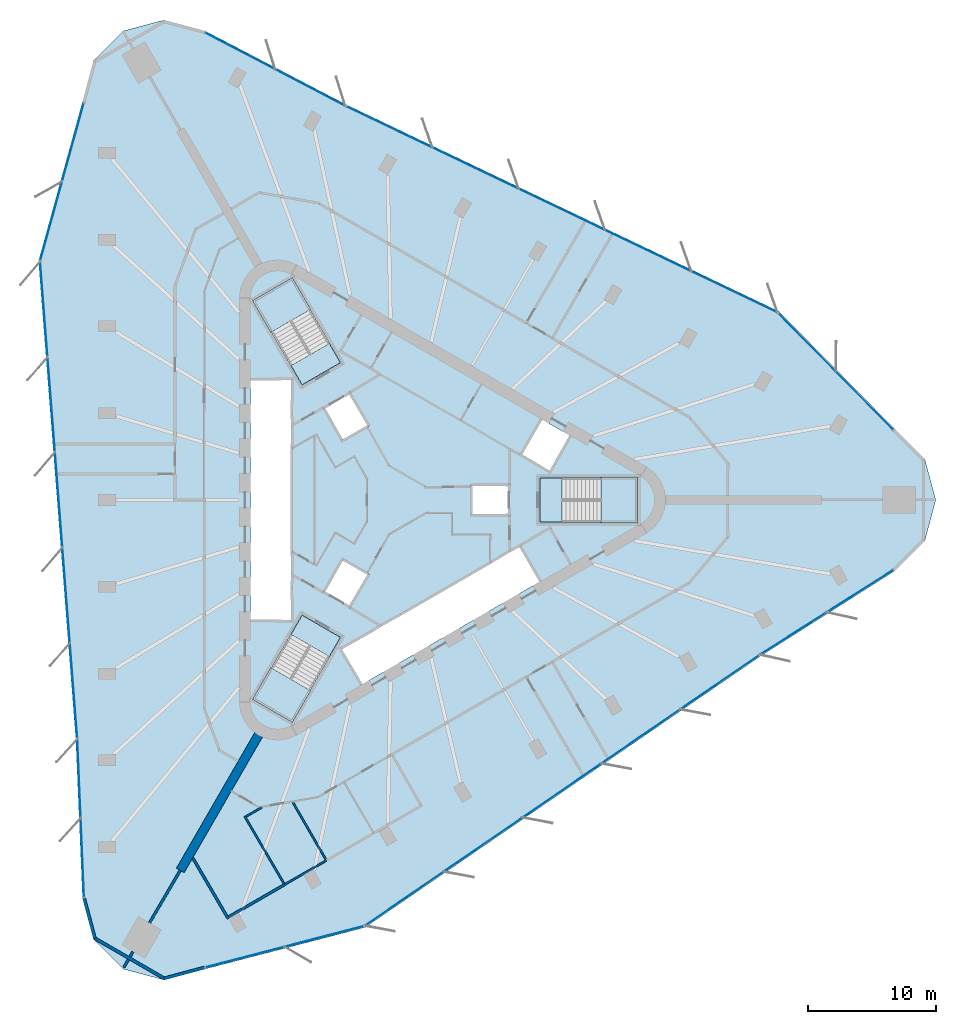
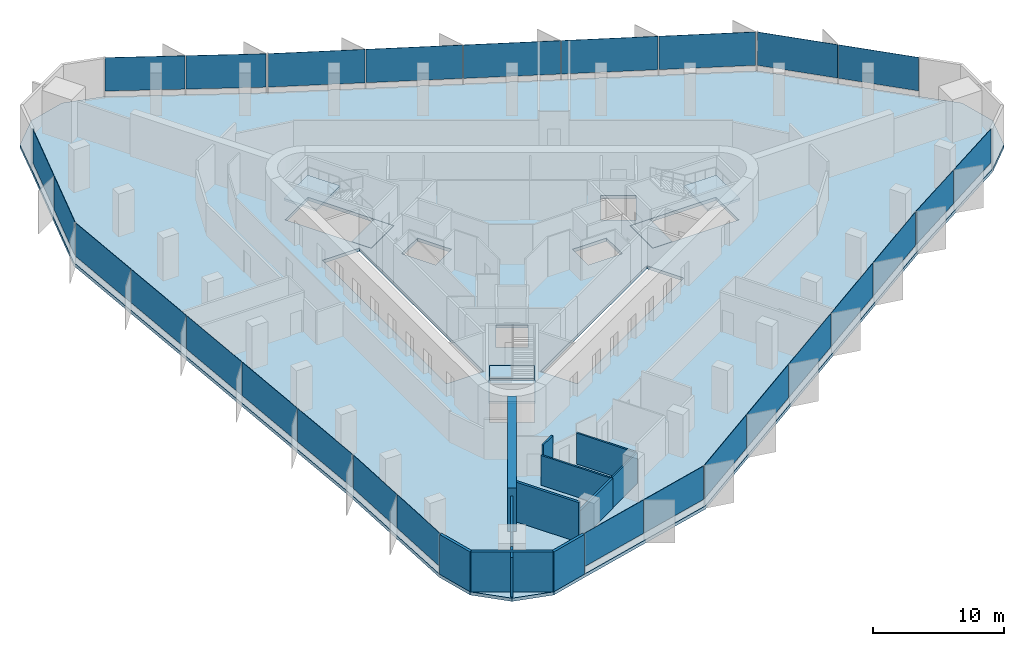
# One storey, part 7 of 13: 27 plates, 13 walls, 7 slabs, 12 elements without a shape of their own.
"""IFC4 building model written with IfcOpenShell, lengths in metres."""

from ifc_helpers import new_model, si_unit, direction, frame, frame_2d, origin, origin_2d, place, context, subcontext, project, spatial, polyline, rectangle, outline, extrude, material, layer, layer_set, type_object, element, aggregate, save


model = new_model("IFC4")

# Units and contexts
model_context = context("Model", 3, precision=1e-05, world=origin(), true_north=direction((0.0, 1.0)))
body_context = subcontext(model_context, "Body", "Model", "MODEL_VIEW")
ifc_project = project(units=[si_unit("LENGTHUNIT", "METRE"), si_unit("AREAUNIT", "SQUARE_METRE"), si_unit("VOLUMEUNIT", "CUBIC_METRE"), si_unit("PLANEANGLEUNIT", "RADIAN"), si_unit("MASSUNIT", "GRAM", prefix="KILO")], contexts=[model_context])

# Site, building, storey
site_placement = place(None, origin())
site = spatial("IfcSite", under=ifc_project, at=site_placement, CompositionType="ELEMENT")
building_placement = place(site_placement, origin())
building = spatial("IfcBuilding", under=site, at=building_placement, Name="Tanit Gate Tower", CompositionType="ELEMENT")
storey_placement = place(building_placement, frame((0.0, 0.0, 189.199951171875)))
storey = spatial("IfcBuildingStorey", under=building, at=storey_placement, Name="L41", CompositionType="ELEMENT", Elevation=189.199951171875)

# Slab
ifc_material_1 = material(Name="Concrete C35/45", Category="concrete")
ifc_layer_1 = layer(ifc_material_1, 0.300048828125)
ifc_layer_set_1 = layer_set([ifc_layer_1], Name="FLOOR SLAB 300 C35/45")
slab_type_1 = type_object("IfcSlabType", Name="FLOOR SLAB 300 C35/45", PredefinedType="FLOOR", material=ifc_layer_set_1)
slab_1_placement = place(storey_placement, frame((0.0, 0.0, -0.300048828125)))
element("IfcSlab", 1, at=slab_1_placement, inside=storey, type_object=slab_type_1, Name="FLOOR SLAB L41", PredefinedType="FLOOR", context=body_context, shape_type="SweptSolid", body=[
    extrude(outline(polyline([(39.06396484375, 5.522705078125), (41.39794921875, 3.1884765625), (42.25244140625, 0.0), (41.39794921875, -3.1884765625), (39.06396484375, -5.522705078125), (28.564453125, -12.192138671875), (-2.2705078125, -33.35009765625), (-14.749267578125, -36.591552734375), (-17.937744140625, -37.446044921875), (-21.126220703125, -36.591552734375), (-23.460205078125, -34.257568359375), (-24.314697265625, -31.069091796875), (-24.8408203125, -18.641357421875), (-27.74658203125, 18.641357421875), (-24.314697265625, 31.069091796875), (-23.460205078125, 34.257568359375), (-21.126220703125, 36.591552734375), (-17.937744140625, 37.446044921875), (-14.749267578125, 36.591552734375), (-3.723388671875, 30.83349609375), (30.01708984375, 14.70849609375), (39.06396484375, 5.522705078125)]), holes=[polyline([(11.3701171875, 1.72998046875), (18.929931640625, 1.72998046875), (18.929931640625, -1.72998046875), (11.3701171875, -1.72998046875), (11.3701171875, 1.72998046875)]), polyline([(9.82080078125, 3.510009765625), (11.44580078125, 6.324462890625), (13.783935546875, 4.974609375), (12.158935546875, 2.159912109375), (9.82080078125, 3.510009765625)]), polyline([(-4.208984375, -11.60986328125), (9.82080078125, -3.510009765625), (11.44580078125, -6.324462890625), (-2.583984375, -14.424560546875), (-4.208984375, -11.60986328125)]), polyline([(6.0, 1.199951171875), (9.0, 1.199951171875), (9.0, -1.199951171875), (6.0, -1.199951171875), (6.0, 1.199951171875)]), polyline([(-5.539306640625, 7.194091796875), (-3.460693359375, 8.394287109375), (-1.960693359375, 5.796142578125), (-4.039306640625, 4.59619140625), (-5.539306640625, 7.194091796875)]), polyline([(-1.960693359375, -5.796142578125), (-3.460693359375, -8.394287109375), (-5.539306640625, -7.194091796875), (-4.039306640625, -4.59619140625), (-1.960693359375, -5.796142578125)]), polyline([(-10.963134765625, 15.52880859375), (-7.966796875, 17.2587890625), (-4.186767578125, 10.711669921875), (-7.18310546875, 8.981689453125), (-10.963134765625, 15.52880859375)]), polyline([(-4.186767578125, -10.711669921875), (-7.966796875, -17.2587890625), (-10.963134765625, -15.52880859375), (-7.18310546875, -8.981689453125), (-4.186767578125, -10.711669921875)]), polyline([(-11.199951171875, -9.449951171875), (-11.199951171875, 9.449951171875), (-7.949951171875, 9.449951171875), (-7.949951171875, -9.449951171875), (-11.199951171875, -9.449951171875)])]), origin(), (0.0, 0.0, 1.0), 0.300048828125),
])

# Curtain wall, plates
ifc_material_2 = material(Name="Aluminium bronze anodised and glass", Category="aluminium")
curtain_wall_type = type_object("IfcCurtainWallType", Name="Curtain wall typical mid", PredefinedType="NOTDEFINED", material=ifc_material_2)
curtain_wall_1_placement = place(storey_placement, origin())
curtain_wall_1 = element("IfcCurtainWall", 2, at=curtain_wall_1_placement, inside=storey, type_object=curtain_wall_type, Name="Curtain wall L41 NE1", PredefinedType="NOTDEFINED")
ifc_material_3 = material(Name="Glass tinted", Category="glass")
ifc_layer_2 = layer(ifc_material_3, 0.030029296875)
ifc_layer_set_2 = layer_set([ifc_layer_2], Name="Glass panel 30 typical mid")
plate_type = type_object("IfcPlateType", Name="Glass panel 30 typical mid", PredefinedType="CURTAIN_PANEL", material=ifc_layer_set_2)
plate_1_placement = place(storey_placement, frame((36.70654296875, 7.7451171875, 0.60009765625), z_axis=(0.0, 0.0, 1.0), x_axis=(-0.701683751549, 0.712488535215, 0.0)))
plate_1 = element("IfcPlate", 3, at=plate_1_placement, type_object=plate_type, Name="Glass panel L41 NE1.1", PredefinedType="CURTAIN_PANEL", context=body_context, shape_type="SweptSolid", body=[
    extrude(rectangle(XDim=6.316162109375, YDim=0.030029296875, at=origin_2d()), origin(), (0.0, 0.0, 1.0), 3.10009765625),
])
plate_2_placement = place(storey_placement, frame((32.218505859375, 12.30224609375, 0.60009765625), z_axis=(0.0, 0.0, 1.0), x_axis=(-0.701683751549, 0.712488535215, 0.0)))
plate_2 = element("IfcPlate", 4, at=plate_2_placement, type_object=plate_type, Name="Glass panel L41 NE1.2", PredefinedType="CURTAIN_PANEL", context=body_context, shape_type="SweptSolid", body=[
    extrude(rectangle(XDim=6.316162109375, YDim=0.030029296875, at=origin_2d()), origin(), (0.0, 0.0, 1.0), 3.10009765625),
])
aggregate(curtain_wall_1, [plate_1, plate_2])

curtain_wall_2_placement = place(storey_placement, origin())
curtain_wall_2 = element("IfcCurtainWall", 5, at=curtain_wall_2_placement, inside=storey, type_object=curtain_wall_type, Name="Curtain wall L41 NE2", PredefinedType="NOTDEFINED")
plate_3_placement = place(storey_placement, frame((26.545166015625, 16.23486328125, 0.60009765625), z_axis=(0.0, 0.0, 1.0), x_axis=(-0.902257718288, 0.431197182029, 0.0)))
plate_3 = element("IfcPlate", 6, at=plate_3_placement, type_object=plate_type, Name="Glass panel L41 NE2.1", PredefinedType="CURTAIN_PANEL", context=body_context, shape_type="SweptSolid", body=[
    extrude(rectangle(XDim=7.37939453125, YDim=0.030029296875, at=origin_2d()), origin(), (0.0, 0.0, 1.0), 3.10009765625),
])
plate_4_placement = place(storey_placement, frame((19.81494140625, 19.451416015625, 0.60009765625), z_axis=(0.0, 0.0, 1.0), x_axis=(-0.902257718288, 0.431197182029, 0.0)))
plate_4 = element("IfcPlate", 7, at=plate_4_placement, type_object=plate_type, Name="Glass panel L41 NE2.2", PredefinedType="CURTAIN_PANEL", context=body_context, shape_type="SweptSolid", body=[
    extrude(rectangle(XDim=7.37939453125, YDim=0.030029296875, at=origin_2d()), origin(), (0.0, 0.0, 1.0), 3.10009765625),
])
plate_5_placement = place(storey_placement, frame((13.084716796875, 22.667724609375, 0.60009765625), z_axis=(0.0, 0.0, 1.0), x_axis=(-0.902257718288, 0.431197182029, 0.0)))
plate_5 = element("IfcPlate", 8, at=plate_5_placement, type_object=plate_type, Name="Glass panel L41 NE2.3", PredefinedType="CURTAIN_PANEL", context=body_context, shape_type="SweptSolid", body=[
    extrude(rectangle(XDim=7.37939453125, YDim=0.030029296875, at=origin_2d()), origin(), (0.0, 0.0, 1.0), 3.10009765625),
])
plate_6_placement = place(storey_placement, frame((6.354248046875, 25.88427734375, 0.60009765625), z_axis=(0.0, 0.0, 1.0), x_axis=(-0.902257718288, 0.431197182029, 0.0)))
plate_6 = element("IfcPlate", 9, at=plate_6_placement, type_object=plate_type, Name="Glass panel L41 NE2.4", PredefinedType="CURTAIN_PANEL", context=body_context, shape_type="SweptSolid", body=[
    extrude(rectangle(XDim=7.37939453125, YDim=0.030029296875, at=origin_2d()), origin(), (0.0, 0.0, 1.0), 3.10009765625),
])
plate_7_placement = place(storey_placement, frame((-0.3759765625, 29.100830078125, 0.60009765625), z_axis=(0.0, 0.0, 1.0), x_axis=(-0.902257718288, 0.431197182029, 0.0)))
plate_7 = element("IfcPlate", 10, at=plate_7_placement, type_object=plate_type, Name="Glass panel L41 NE2.5", PredefinedType="CURTAIN_PANEL", context=body_context, shape_type="SweptSolid", body=[
    extrude(rectangle(XDim=7.37939453125, YDim=0.030029296875, at=origin_2d()), origin(), (0.0, 0.0, 1.0), 3.10009765625),
])
aggregate(curtain_wall_2, [plate_3, plate_4, plate_5, plate_6, plate_7])

curtain_wall_3_placement = place(storey_placement, origin())
curtain_wall_3 = element("IfcCurtainWall", 11, at=curtain_wall_3_placement, inside=storey, type_object=curtain_wall_type, Name="Curtain wall L41 NE3", PredefinedType="NOTDEFINED")
plate_8_placement = place(storey_placement, frame((-6.548828125, 32.173828125, 0.60009765625), z_axis=(0.0, 0.0, 1.0), x_axis=(-0.886403364276, 0.462913680722, 0.0)))
plate_8 = element("IfcPlate", 12, at=plate_8_placement, type_object=plate_type, Name="Glass panel L41 NE3.1", PredefinedType="CURTAIN_PANEL", context=body_context, shape_type="SweptSolid", body=[
    extrude(rectangle(XDim=6.09375, YDim=0.030029296875, at=origin_2d()), origin(), (0.0, 0.0, 1.0), 3.10009765625),
])
plate_9_placement = place(storey_placement, frame((-12.021240234375, 35.03173828125, 0.60009765625), z_axis=(0.0, 0.0, 1.0), x_axis=(-0.886403364276, 0.462913680722, 0.0)))
plate_9 = element("IfcPlate", 13, at=plate_9_placement, type_object=plate_type, Name="Glass panel L41 NE3.2", PredefinedType="CURTAIN_PANEL", context=body_context, shape_type="SweptSolid", body=[
    extrude(rectangle(XDim=6.09375, YDim=0.030029296875, at=origin_2d()), origin(), (0.0, 0.0, 1.0), 3.10009765625),
])
aggregate(curtain_wall_3, [plate_8, plate_9])

curtain_wall_4_placement = place(storey_placement, origin())
curtain_wall_4 = element("IfcCurtainWall", 14, at=curtain_wall_4_placement, inside=storey, type_object=curtain_wall_type, Name="Curtain wall L41 W1", PredefinedType="NOTDEFINED")
plate_10_placement = place(storey_placement, frame((-25.060791015625, 27.916259765625, 0.60009765625), z_axis=(0.0, 0.0, 1.0), x_axis=(-0.266191295627, -0.963920221871, 0.0)))
plate_10 = element("IfcPlate", 15, at=plate_10_placement, type_object=plate_type, Name="Glass panel L41 W1.1", PredefinedType="CURTAIN_PANEL", context=body_context, shape_type="SweptSolid", body=[
    extrude(rectangle(XDim=6.316162109375, YDim=0.030029296875, at=origin_2d()), origin(), (0.0, 0.0, 1.0), 3.10009765625),
])
plate_11_placement = place(storey_placement, frame((-26.763427734375, 21.7509765625, 0.60009765625), z_axis=(0.0, 0.0, 1.0), x_axis=(-0.266191295627, -0.963920221871, 0.0)))
plate_11 = element("IfcPlate", 16, at=plate_11_placement, type_object=plate_type, Name="Glass panel L41 W1.2", PredefinedType="CURTAIN_PANEL", context=body_context, shape_type="SweptSolid", body=[
    extrude(rectangle(XDim=6.316162109375, YDim=0.030029296875, at=origin_2d()), origin(), (0.0, 0.0, 1.0), 3.10009765625),
])
aggregate(curtain_wall_4, [plate_10, plate_11])

curtain_wall_5_placement = place(storey_placement, origin())
curtain_wall_5 = element("IfcCurtainWall", 17, at=curtain_wall_5_placement, inside=storey, type_object=curtain_wall_type, Name="Curtain wall L41 W2", PredefinedType="NOTDEFINED")
plate_12_placement = place(storey_placement, frame((-27.33251953125, 14.871337890625, 0.60009765625), z_axis=(0.0, 0.0, 1.0), x_axis=(0.077701145467, -0.996976695812, 0.0)))
plate_12 = element("IfcPlate", 18, at=plate_12_placement, type_object=plate_type, Name="Glass panel L41 W2.1", PredefinedType="CURTAIN_PANEL", context=body_context, shape_type="SweptSolid", body=[
    extrude(rectangle(XDim=7.37939453125, YDim=0.030029296875, at=origin_2d()), origin(), (0.0, 0.0, 1.0), 3.10009765625),
])
plate_13_placement = place(storey_placement, frame((-26.7529296875, 7.4345703125, 0.60009765625), z_axis=(0.0, 0.0, 1.0), x_axis=(0.077701145467, -0.996976695812, 0.0)))
plate_13 = element("IfcPlate", 19, at=plate_13_placement, type_object=plate_type, Name="Glass panel L41 W2.2", PredefinedType="CURTAIN_PANEL", context=body_context, shape_type="SweptSolid", body=[
    extrude(rectangle(XDim=7.37939453125, YDim=0.030029296875, at=origin_2d()), origin(), (0.0, 0.0, 1.0), 3.10009765625),
])
plate_14_placement = place(storey_placement, frame((-26.17333984375, -0.002197265625, 0.60009765625), z_axis=(0.0, 0.0, 1.0), x_axis=(0.077701145467, -0.996976695812, 0.0)))
plate_14 = element("IfcPlate", 20, at=plate_14_placement, type_object=plate_type, Name="Glass panel L41 W2.3", PredefinedType="CURTAIN_PANEL", context=body_context, shape_type="SweptSolid", body=[
    extrude(rectangle(XDim=7.37939453125, YDim=0.030029296875, at=origin_2d()), origin(), (0.0, 0.0, 1.0), 3.10009765625),
])
plate_15_placement = place(storey_placement, frame((-25.59375, -7.439208984375, 0.60009765625), z_axis=(0.0, 0.0, 1.0), x_axis=(0.077701145467, -0.996976695812, 0.0)))
plate_15 = element("IfcPlate", 21, at=plate_15_placement, type_object=plate_type, Name="Glass panel L41 W2.4", PredefinedType="CURTAIN_PANEL", context=body_context, shape_type="SweptSolid", body=[
    extrude(rectangle(XDim=7.37939453125, YDim=0.030029296875, at=origin_2d()), origin(), (0.0, 0.0, 1.0), 3.10009765625),
])
plate_16_placement = place(storey_placement, frame((-25.01416015625, -14.8759765625, 0.60009765625), z_axis=(0.0, 0.0, 1.0), x_axis=(0.077701145467, -0.996976695812, 0.0)))
plate_16 = element("IfcPlate", 22, at=plate_16_placement, type_object=plate_type, Name="Glass panel L41 W2.5", PredefinedType="CURTAIN_PANEL", context=body_context, shape_type="SweptSolid", body=[
    extrude(rectangle(XDim=7.37939453125, YDim=0.030029296875, at=origin_2d()), origin(), (0.0, 0.0, 1.0), 3.10009765625),
])
aggregate(curtain_wall_5, [plate_12, plate_13, plate_14, plate_15, plate_16])

curtain_wall_6_placement = place(storey_placement, origin())
curtain_wall_6 = element("IfcCurtainWall", 23, at=curtain_wall_6_placement, inside=storey, type_object=curtain_wall_type, Name="Curtain wall L41 W3", PredefinedType="NOTDEFINED")
plate_17_placement = place(storey_placement, frame((-24.5888671875, -21.75830078125, 0.60009765625), z_axis=(0.0, 0.0, 1.0), x_axis=(0.042306674873, -0.999104671824, 0.0)))
plate_17 = element("IfcPlate", 24, at=plate_17_placement, type_object=plate_type, Name="Glass panel L41 W3.1", PredefinedType="CURTAIN_PANEL", context=body_context, shape_type="SweptSolid", body=[
    extrude(rectangle(XDim=6.09375, YDim=0.030029296875, at=origin_2d()), origin(), (0.0, 0.0, 1.0), 3.10009765625),
])
plate_18_placement = place(storey_placement, frame((-24.32763671875, -27.926513671875, 0.60009765625), z_axis=(0.0, 0.0, 1.0), x_axis=(0.042306674873, -0.999104671824, 0.0)))
plate_18 = element("IfcPlate", 25, at=plate_18_placement, type_object=plate_type, Name="Glass panel L41 W3.2", PredefinedType="CURTAIN_PANEL", context=body_context, shape_type="SweptSolid", body=[
    extrude(rectangle(XDim=6.09375, YDim=0.030029296875, at=origin_2d()), origin(), (0.0, 0.0, 1.0), 3.10009765625),
])
aggregate(curtain_wall_6, [plate_17, plate_18])

curtain_wall_7_placement = place(storey_placement, origin())
curtain_wall_7 = element("IfcCurtainWall", 26, at=curtain_wall_7_placement, inside=storey, type_object=curtain_wall_type, Name="Curtain wall L41 SE1", PredefinedType="NOTDEFINED")
plate_19_placement = place(storey_placement, frame((-11.645751953125, -35.661376953125, 0.60009765625), z_axis=(0.0, 0.0, 1.0), x_axis=(0.967875047175, 0.251431686657, 0.0)))
plate_19 = element("IfcPlate", 27, at=plate_19_placement, type_object=plate_type, Name="Glass panel L41 SE1.1", PredefinedType="CURTAIN_PANEL", context=body_context, shape_type="SweptSolid", body=[
    extrude(rectangle(XDim=6.316162109375, YDim=0.030029296875, at=origin_2d()), origin(), (0.0, 0.0, 1.0), 3.10009765625),
])
plate_20_placement = place(storey_placement, frame((-5.455078125, -34.05322265625, 0.60009765625), z_axis=(0.0, 0.0, 1.0), x_axis=(0.967875047175, 0.251431686657, 0.0)))
plate_20 = element("IfcPlate", 28, at=plate_20_placement, type_object=plate_type, Name="Glass panel L41 SE1.2", PredefinedType="CURTAIN_PANEL", context=body_context, shape_type="SweptSolid", body=[
    extrude(rectangle(XDim=6.316162109375, YDim=0.030029296875, at=origin_2d()), origin(), (0.0, 0.0, 1.0), 3.10009765625),
])
aggregate(curtain_wall_7, [plate_19, plate_20])

curtain_wall_8_placement = place(storey_placement, origin())
curtain_wall_8 = element("IfcCurtainWall", 29, at=curtain_wall_8_placement, inside=storey, type_object=curtain_wall_type, Name="Curtain wall L41 SE2", PredefinedType="NOTDEFINED")
plate_21_placement = place(storey_placement, frame((0.787109375, -31.106201171875, 0.60009765625), z_axis=(0.0, 0.0, 1.0), x_axis=(0.824556572821, 0.565779513784, 0.0)))
plate_21 = element("IfcPlate", 30, at=plate_21_placement, type_object=plate_type, Name="Glass panel L41 SE2.1", PredefinedType="CURTAIN_PANEL", context=body_context, shape_type="SweptSolid", body=[
    extrude(rectangle(XDim=7.37939453125, YDim=0.030029296875, at=origin_2d()), origin(), (0.0, 0.0, 1.0), 3.10009765625),
])
plate_22_placement = place(storey_placement, frame((6.93798828125, -26.885986328125, 0.60009765625), z_axis=(0.0, 0.0, 1.0), x_axis=(0.824556572821, 0.565779513784, 0.0)))
plate_22 = element("IfcPlate", 31, at=plate_22_placement, type_object=plate_type, Name="Glass panel L41 SE2.2", PredefinedType="CURTAIN_PANEL", context=body_context, shape_type="SweptSolid", body=[
    extrude(rectangle(XDim=7.37939453125, YDim=0.030029296875, at=origin_2d()), origin(), (0.0, 0.0, 1.0), 3.10009765625),
])
plate_23_placement = place(storey_placement, frame((13.088623046875, -22.66552734375, 0.60009765625), z_axis=(0.0, 0.0, 1.0), x_axis=(0.824556572821, 0.565779513784, 0.0)))
plate_23 = element("IfcPlate", 32, at=plate_23_placement, type_object=plate_type, Name="Glass panel L41 SE2.3", PredefinedType="CURTAIN_PANEL", context=body_context, shape_type="SweptSolid", body=[
    extrude(rectangle(XDim=7.37939453125, YDim=0.030029296875, at=origin_2d()), origin(), (0.0, 0.0, 1.0), 3.10009765625),
])
plate_24_placement = place(storey_placement, frame((19.2392578125, -18.4453125, 0.60009765625), z_axis=(0.0, 0.0, 1.0), x_axis=(0.824556572821, 0.565779513784, 0.0)))
plate_24 = element("IfcPlate", 33, at=plate_24_placement, type_object=plate_type, Name="Glass panel L41 SE2.4", PredefinedType="CURTAIN_PANEL", context=body_context, shape_type="SweptSolid", body=[
    extrude(rectangle(XDim=7.37939453125, YDim=0.030029296875, at=origin_2d()), origin(), (0.0, 0.0, 1.0), 3.10009765625),
])
plate_25_placement = place(storey_placement, frame((25.389892578125, -14.224853515625, 0.60009765625), z_axis=(0.0, 0.0, 1.0), x_axis=(0.824556572821, 0.565779513784, 0.0)))
plate_25 = element("IfcPlate", 34, at=plate_25_placement, type_object=plate_type, Name="Glass panel L41 SE2.5", PredefinedType="CURTAIN_PANEL", context=body_context, shape_type="SweptSolid", body=[
    extrude(rectangle(XDim=7.37939453125, YDim=0.030029296875, at=origin_2d()), origin(), (0.0, 0.0, 1.0), 3.10009765625),
])
aggregate(curtain_wall_8, [plate_21, plate_22, plate_23, plate_24, plate_25])

curtain_wall_9_placement = place(storey_placement, origin())
curtain_wall_9 = element("IfcCurtainWall", 35, at=curtain_wall_9_placement, inside=storey, type_object=curtain_wall_type, Name="Curtain wall L41 SE3", PredefinedType="NOTDEFINED")
plate_26_placement = place(storey_placement, frame((31.1376953125, -10.41552734375, 0.60009765625), z_axis=(0.0, 0.0, 1.0), x_axis=(0.844096689403, 0.536190991102, 0.0)))
plate_26 = element("IfcPlate", 36, at=plate_26_placement, type_object=plate_type, Name="Glass panel L41 SE3.1", PredefinedType="CURTAIN_PANEL", context=body_context, shape_type="SweptSolid", body=[
    extrude(rectangle(XDim=6.09375, YDim=0.030029296875, at=origin_2d()), origin(), (0.0, 0.0, 1.0), 3.10009765625),
])
plate_27_placement = place(storey_placement, frame((36.348876953125, -7.10498046875, 0.60009765625), z_axis=(0.0, 0.0, 1.0), x_axis=(0.844096689403, 0.536190991102, 0.0)))
plate_27 = element("IfcPlate", 37, at=plate_27_placement, type_object=plate_type, Name="Glass panel L41 SE3.2", PredefinedType="CURTAIN_PANEL", context=body_context, shape_type="SweptSolid", body=[
    extrude(rectangle(XDim=6.09375, YDim=0.030029296875, at=origin_2d()), origin(), (0.0, 0.0, 1.0), 3.10009765625),
])
aggregate(curtain_wall_9, [plate_26, plate_27])

# Stair, slab
ifc_material_4 = material(Name="Concrete C40/50", Category="concrete")
stair_type = type_object("IfcStairType", Name="INT-STAIR-EXIT", PredefinedType="HALF_TURN_STAIR", material=ifc_material_4)
stair_1_placement = place(storey_placement, origin())
stair_1 = element("IfcStair", 38, at=stair_1_placement, inside=storey, type_object=stair_type, Name="L41 STAIR S1", PredefinedType="HALF_TURN_STAIR")
ifc_material_5 = material(Name="Concrete C40/50", Category="concrete")
ifc_layer_3 = layer(ifc_material_5, 0.199951171875)
ifc_layer_set_3 = layer_set([ifc_layer_3], Name="INT-STAIR-LANDING")
slab_type_2 = type_object("IfcSlabType", Name="INT-STAIR-LANDING", PredefinedType="LANDING", material=ifc_layer_set_3)
slab_2_placement = place(storey_placement, frame((0.0, 0.0, 1.800048828125)))
slab_2 = element("IfcSlab", 39, at=slab_2_placement, type_object=slab_type_2, Name="S1 landing 1", PredefinedType="LANDING", context=body_context, shape_type="SweptSolid", body=[
    extrude(outline(polyline([(16.135986328125, -1.800048828125), (19.0, -1.800048828125), (19.0, 1.800048828125), (16.135986328125, 1.800048828125), (16.135986328125, -1.800048828125)])), origin(), (0.0, 0.0, 1.0), 0.199951171875),
])
aggregate(stair_1, [slab_2])

# Slab
slab_3_placement = place(storey_placement, frame((0.0, 0.0, -0.199951171875)))
element("IfcSlab", 40, at=slab_3_placement, inside=storey, type_object=slab_type_2, Name="S1 floor landing", PredefinedType="LANDING", context=body_context, shape_type="SweptSolid", body=[
    extrude(outline(polyline([(11.3798828125, -1.719970703125), (13.10498046875, -1.719970703125), (13.10498046875, 1.719970703125), (11.3798828125, 1.719970703125), (11.3798828125, -1.719970703125)])), origin(), (0.0, 0.0, 1.0), 0.199951171875),
])

# Stair, slab
stair_2_placement = place(storey_placement, origin())
stair_2 = element("IfcStair", 41, at=stair_2_placement, inside=storey, type_object=stair_type, Name="L41 STAIR S2", PredefinedType="HALF_TURN_STAIR")
slab_4_placement = place(storey_placement, frame((0.0, 0.0, 1.800048828125)))
slab_4 = element("IfcSlab", 42, at=slab_4_placement, type_object=slab_type_2, Name="S2 landing 1", PredefinedType="LANDING", context=body_context, shape_type="SweptSolid", body=[
    extrude(outline(polyline([(-6.5078125, 14.871826171875), (-7.941162109375, 17.3544921875), (-11.058837890625, 15.554443359375), (-9.62548828125, 13.07177734375), (-6.5078125, 14.871826171875)])), origin(), (0.0, 0.0, 1.0), 0.199951171875),
])
aggregate(stair_2, [slab_4])

# Slab
slab_5_placement = place(storey_placement, frame((0.0, 0.0, -0.199951171875)))
element("IfcSlab", 43, at=slab_5_placement, inside=storey, type_object=slab_type_2, Name="S2 floor landing", PredefinedType="LANDING", context=body_context, shape_type="SweptSolid", body=[
    extrude(outline(polyline([(-4.200439453125, 10.71533203125), (-5.0625, 12.20849609375), (-8.04150390625, 10.48828125), (-7.179443359375, 8.995361328125), (-4.200439453125, 10.71533203125)])), origin(), (0.0, 0.0, 1.0), 0.199951171875),
])

# Stair, slab
stair_3_placement = place(storey_placement, origin())
stair_3 = element("IfcStair", 44, at=stair_3_placement, inside=storey, type_object=stair_type, Name="L41 STAIR S3", PredefinedType="HALF_TURN_STAIR")
slab_6_placement = place(storey_placement, frame((0.0, 0.0, 1.800048828125)))
slab_6 = element("IfcSlab", 45, at=slab_6_placement, type_object=slab_type_2, Name="S3 landing 1", PredefinedType="LANDING", context=body_context, shape_type="SweptSolid", body=[
    extrude(outline(polyline([(-9.626953125, -13.07421875), (-11.058837890625, -15.554443359375), (-7.941162109375, -17.3544921875), (-6.509033203125, -14.874267578125), (-9.626953125, -13.07421875)])), origin(), (0.0, 0.0, 1.0), 0.199951171875),
])
aggregate(stair_3, [slab_6])

# Slab
slab_7_placement = place(storey_placement, frame((0.0, 0.0, -0.199951171875)))
element("IfcSlab", 46, at=slab_7_placement, inside=storey, type_object=slab_type_2, Name="S3 floor landing", PredefinedType="LANDING", context=body_context, shape_type="SweptSolid", body=[
    extrude(outline(polyline([(-7.179443359375, -8.995361328125), (-8.0419921875, -10.4892578125), (-5.06298828125, -12.209228515625), (-4.200439453125, -10.71533203125), (-7.179443359375, -8.995361328125)])), origin(), (0.0, 0.0, 1.0), 0.199951171875),
])

# Walls
ifc_material_6 = material(Name="Concrete C50/60", Category="concrete")
ifc_layer_4 = layer(ifc_material_6, 0.699951171875)
ifc_layer_set_4 = layer_set([ifc_layer_4], Name="BUTTRESS FIN 700 C50/60")
wall_type_1 = type_object("IfcWallType", Name="BUTTRESS FIN 700 C50/60", PredefinedType="SHEAR", material=ifc_layer_set_4)
wall_1_placement = place(storey_placement, frame((-10.574951171875, -18.31640625, 0.0), z_axis=(0.0, 0.0, 1.0), x_axis=(-0.500002625756, -0.866023887798, 0.0)))
element("IfcWall", 47, at=wall_1_placement, inside=storey, type_object=wall_type_1, Name="BUTTRESS FIN", PredefinedType="SHEAR", context=body_context, shape_type="SweptSolid", body=[
    extrude(rectangle(XDim=12.2197265625, YDim=0.699951171875, at=frame_2d((6.10986328125, 0.0))), origin(), (0.0, 0.0, 1.0), 4.0),
])
ifc_material_7 = material(Name="Concrete C30/37 with bronze anodised aluminium cladding", Category="concrete")
ifc_layer_5 = layer(ifc_material_7, 0.239990234375)
ifc_layer_set_5 = layer_set([ifc_layer_5], Name="Facade wall bronze clad 240")
wall_type_2 = type_object("IfcWallType", Name="Facade wall bronze clad 240", PredefinedType="SOLIDWALL", material=ifc_layer_set_5)
wall_2_placement = place(storey_placement, frame((-24.1953125, -31.05078125, 0.0), z_axis=(0.0, 0.0, 1.0), x_axis=(0.258806058597, -0.965929305919, 0.0)))
element("IfcWall", 48, at=wall_2_placement, inside=storey, type_object=wall_type_2, Name="Bronze-clad facade wall L41 SW.arc1", PredefinedType="SOLIDWALL", context=body_context, shape_type="SweptSolid", body=[
    extrude(rectangle(XDim=3.25537109375, YDim=0.239990234375, at=frame_2d((1.627685546875, 0.0))), origin(), (0.0, 0.0, 1.0), 3.699951171875),
])
wall_3_placement = place(storey_placement, frame((-23.352783203125, -34.1953125, 0.0), z_axis=(0.0, 0.0, 1.0), x_axis=(0.866019130722, -0.500010865105, 0.0)))
element("IfcWall", 49, at=wall_3_placement, inside=storey, type_object=wall_type_2, Name="Bronze-clad facade wall L41 SW.arc2", PredefinedType="SOLIDWALL", context=body_context, shape_type="SweptSolid", body=[
    extrude(rectangle(XDim=6.252685546875, YDim=0.239990234375, at=frame_2d((3.12646484375, 0.0))), origin(), (0.0, 0.0, 1.0), 3.699951171875),
])
wall_4_placement = place(storey_placement, frame((-17.937744140625, -37.32177734375, 0.0), z_axis=(0.0, 0.0, 1.0), x_axis=(0.965924385118, 0.258824423565, 0.0)))
element("IfcWall", 50, at=wall_4_placement, inside=storey, type_object=wall_type_2, Name="Bronze-clad facade wall L41 SW.arc3", PredefinedType="SOLIDWALL", context=body_context, shape_type="SweptSolid", body=[
    extrude(rectangle(XDim=3.269287109375, YDim=0.239990234375, at=frame_2d((1.634765625, 0.0))), origin(), (0.0, 0.0, 1.0), 3.699951171875),
])
ifc_material_8 = material(Name="Fire-rated gypsum board partition")
ifc_layer_6 = layer(ifc_material_8, 0.199951171875)
ifc_layer_set_6 = layer_set([ifc_layer_6], Name="INT-WALL-COMPARTMENT")
wall_type_3 = type_object("IfcWallType", Name="INT-WALL-COMPARTMENT", PredefinedType="PARTITIONING", material=ifc_layer_set_6)
wall_5_placement = place(storey_placement, frame((-21.0859375, -36.462158203125, 0.0), z_axis=(0.0, 0.0, 1.0), x_axis=(0.499801860585, 0.866139769411, 0.0)))
element("IfcWall", 51, at=wall_5_placement, inside=storey, type_object=wall_type_3, Name="Wall Compartment W115", PredefinedType="PARTITIONING", context=body_context, shape_type="SweptSolid", body=[
    extrude(rectangle(XDim=0.709716796875, YDim=0.199951171875, at=frame_2d((0.35498046875, 0.0))), origin(), (0.0, 0.0, 1.0), 3.699951171875),
])
wall_6_placement = place(storey_placement, frame((-20.611083984375, -35.6396484375, 0.0), z_axis=(0.0, 0.0, 1.0), x_axis=(0.499842898591, 0.866116087328, 0.0)))
element("IfcWall", 52, at=wall_6_placement, inside=storey, type_object=wall_type_3, Name="Wall Compartment W115x1", PredefinedType="PARTITIONING", context=body_context, shape_type="SweptSolid", body=[
    extrude(rectangle(XDim=0.468017578125, YDim=0.199951171875, at=frame_2d((0.23388671875, 0.0))), origin(), (0.0, 0.0, 1.0), 3.699951171875),
])
wall_7_placement = place(storey_placement, frame((-19.0771484375, -32.982666015625, 0.0), z_axis=(0.0, 0.0, 1.0), x_axis=(0.504095526605, 0.863647902827, 0.0)))
element("IfcWall", 53, at=wall_7_placement, inside=storey, type_object=wall_type_3, Name="Wall Compartment W116", PredefinedType="PARTITIONING", context=body_context, shape_type="SweptSolid", body=[
    extrude(rectangle(XDim=4.732666015625, YDim=0.199951171875, at=frame_2d((2.3662109375, 0.0))), origin(), (0.0, 0.0, 1.0), 3.27001953125),
])
wall_8_placement = place(storey_placement, frame((-8.543212890625, -30.0009765625, 0.0), z_axis=(0.0, 0.0, 1.0), x_axis=(-0.866017018378, -0.500014523669, 0.0)))
element("IfcWall", 54, at=wall_8_placement, inside=storey, type_object=wall_type_3, Name="Wall Compartment W130", PredefinedType="PARTITIONING", context=body_context, shape_type="SweptSolid", body=[
    extrude(rectangle(XDim=5.040771484375, YDim=0.199951171875, at=frame_2d((2.5205078125, 0.0))), origin(), (0.0, 0.0, 1.0), 2.780029296875),
])
wall_9_placement = place(storey_placement, frame((-15.71435546875, -27.91796875, 0.0), z_axis=(0.0, 0.0, 1.0), x_axis=(0.504506882404, -0.863407670574, 0.0)))
element("IfcWall", 55, at=wall_9_placement, inside=storey, type_object=wall_type_3, Name="Wall Compartment W129", PredefinedType="PARTITIONING", context=body_context, shape_type="SweptSolid", body=[
    extrude(rectangle(XDim=5.489501953125, YDim=0.199951171875, at=frame_2d((2.74462890625, 0.0))), origin(), (0.0, 0.0, 1.0), 3.699951171875),
])
ifc_material_9 = material(Name="Fire-rated gypsum board partition")
ifc_layer_7 = layer(ifc_material_9, 0.14990234375)
ifc_layer_set_7 = layer_set([ifc_layer_7], Name="INT-WALL-RISER")
wall_type_4 = type_object("IfcWallType", Name="INT-WALL-RISER", PredefinedType="PLUMBINGWALL", material=ifc_layer_set_7)
wall_10_placement = place(storey_placement, frame((-5.280029296875, -28.116943359375, 0.0), z_axis=(0.0, 0.0, 1.0), x_axis=(-0.866021579651, -0.500006623535, 0.0)))
element("IfcWall", 56, at=wall_10_placement, inside=storey, type_object=wall_type_4, Name="Wall Riser W128", PredefinedType="PLUMBINGWALL", context=body_context, shape_type="SweptSolid", body=[
    extrude(rectangle(XDim=3.76806640625, YDim=0.14990234375, at=frame_2d((1.884033203125, 0.0))), origin(), (0.0, 0.0, 1.0), 2.880126953125),
])
wall_11_placement = place(storey_placement, frame((-5.33642578125, -28.0341796875, 0.0), z_axis=(0.0, 0.0, 1.0), x_axis=(-0.499988145349, 0.866032247962, 0.0)))
element("IfcWall", 57, at=wall_11_placement, inside=storey, type_object=wall_type_4, Name="Wall Riser W132", PredefinedType="PLUMBINGWALL", context=body_context, shape_type="SweptSolid", body=[
    extrude(rectangle(XDim=5.1435546875, YDim=0.14990234375, at=frame_2d((2.57177734375, 0.0))), origin(), (0.0, 0.0, 1.0), 2.880126953125),
])
wall_12_placement = place(storey_placement, frame((-8.587646484375, -29.93994140625, 0.0), z_axis=(0.0, 0.0, 1.0), x_axis=(-0.504258537923, 0.863552735467, 0.0)))
element("IfcWall", 58, at=wall_12_placement, inside=storey, type_object=wall_type_4, Name="Wall Riser W133", PredefinedType="PLUMBINGWALL", context=body_context, shape_type="SweptSolid", body=[
    extrude(rectangle(XDim=6.110107421875, YDim=0.14990234375, at=frame_2d((3.05517578125, 0.0))), origin(), (0.0, 0.0, 1.0), 2.780029296875),
])
wall_13_placement = place(storey_placement, frame((-10.331298828125, -23.983642578125, 0.0), z_axis=(0.0, 0.0, 1.0), x_axis=(-0.867587682712, -0.49728423744, 0.0)))
element("IfcWall", 59, at=wall_13_placement, inside=storey, type_object=wall_type_4, Name="Wall Riser W134", PredefinedType="PLUMBINGWALL", context=body_context, shape_type="SweptSolid", body=[
    extrude(rectangle(XDim=1.4228515625, YDim=0.14990234375, at=frame_2d((0.71142578125, 0.0))), origin(), (0.0, 0.0, 1.0), 3.699951171875),
])

save(model, "model.ifc")
